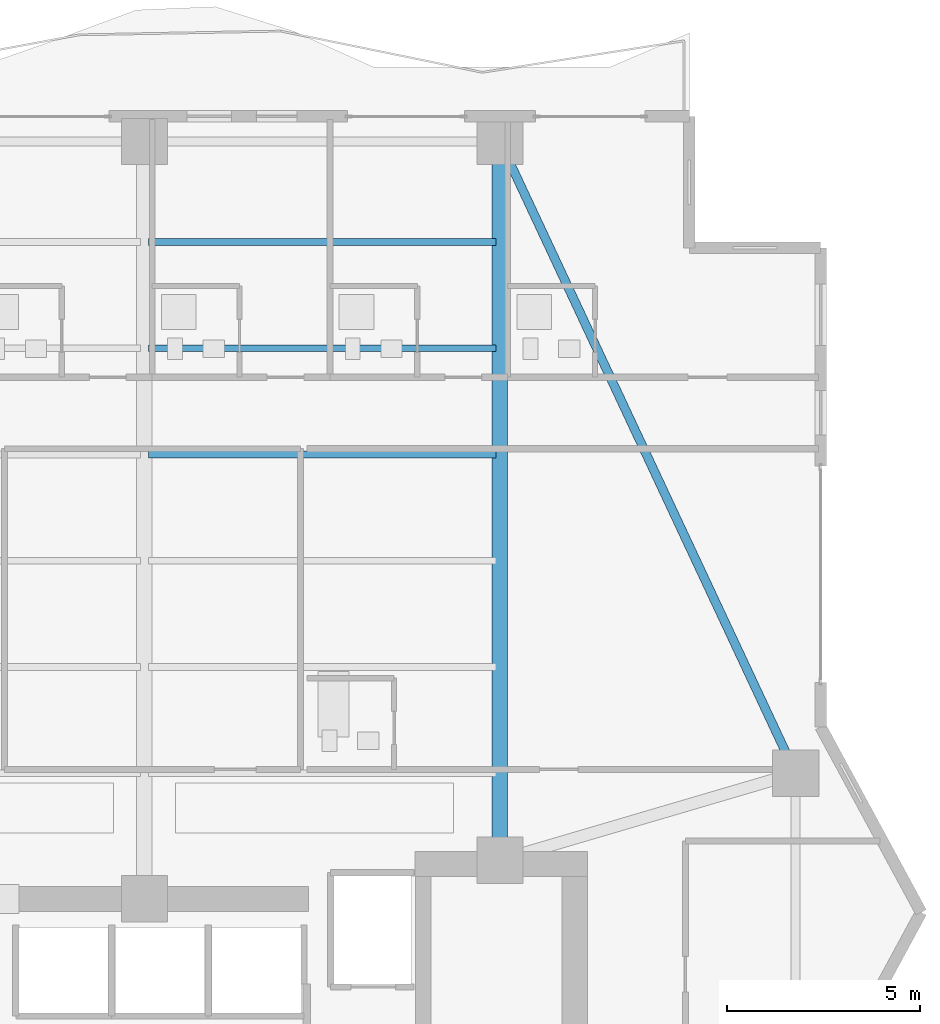
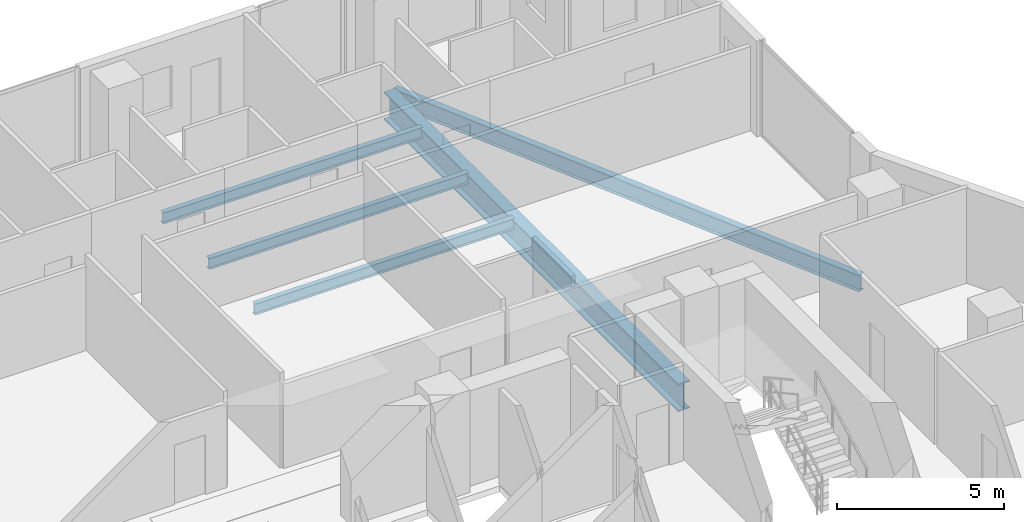
# One storey, part 20 of 33: 5 beams.
"""IFC4 building model written with IfcOpenShell, lengths in metres."""

from ifc_helpers import new_model, si_unit, direction, frame, origin, origin_2d, place, context, subcontext, project, spatial, i_section, extrude, material, material_profile, profile_set, type_object, element, save


model = new_model("IFC4")

# Units and contexts
model_context = context("Model", 3, precision=1e-05, world=origin(), true_north=direction((0.0, 1.0)))
body_context = subcontext(model_context, "Body", "Model", "MODEL_VIEW")
ifc_project = project(units=[si_unit("LENGTHUNIT", "METRE"), si_unit("AREAUNIT", "SQUARE_METRE"), si_unit("VOLUMEUNIT", "CUBIC_METRE"), si_unit("PLANEANGLEUNIT", "RADIAN"), si_unit("MASSUNIT", "GRAM", prefix="KILO")], contexts=[model_context])

# Site, building, storey
site_placement = place(None, origin())
site = spatial("IfcSite", under=ifc_project, at=site_placement, CompositionType="ELEMENT")
building_placement = place(site_placement, origin())
building = spatial("IfcBuilding", under=site, at=building_placement, Name="Zuhayl Quay Hotel", CompositionType="ELEMENT")
storey_placement = place(building_placement, frame((0.0, 0.0, 229.89990234375)))
storey = spatial("IfcBuildingStorey", under=building, at=storey_placement, Name="L58", CompositionType="ELEMENT", Elevation=229.89990234375)

# Beams
ifc_material = material(Name="Steel ASTM A992 Grade 50", Category="steel")
ifc_material_profile_1 = material_profile(ifc_material, i_section(OverallWidth=0.22802734375, OverallDepth=0.60693359375, WebThickness=0.01123046875, FlangeThickness=0.017333984375, at=origin_2d()), Name="W24X76")
ifc_profile_set_1 = profile_set([ifc_material_profile_1], Name="Steel ASTM A992 Grade 50")
beam_type_1 = type_object("IfcBeamType", Name="BM_B3_W24X76", PredefinedType="BEAM", material=ifc_profile_set_1)
beam_1_placement = place(storey_placement, frame((21.238037109375, 17.052978515625, -0.5234375), z_axis=(-0.423792164429, 0.905759461098, 0.0), x_axis=(-0.905759461098, -0.423792164429, 0.0)))
element("IfcBeam", 1, at=beam_1_placement, inside=storey, type_object=beam_type_1, Name="L58 Floor Beam RG_L58_06", PredefinedType="BEAM", context=body_context, shape_type="SweptSolid", body=[
    extrude(i_section(OverallWidth=0.22802734375, OverallDepth=0.60693359375, WebThickness=0.01123046875, FlangeThickness=0.017333984375, at=origin_2d()), origin(), (0.0, 0.0, 1.0), 17.051025390625),
])
ifc_material_profile_2 = material_profile(ifc_material, i_section(OverallWidth=0.177978515625, OverallDepth=0.406005859375, WebThickness=0.0078125, FlangeThickness=0.0126953125, at=origin_2d()), Name="W16X40")
ifc_profile_set_2 = profile_set([ifc_material_profile_2], Name="Steel ASTM A992 Grade 50")
beam_type_2 = type_object("IfcBeamType", Name="BM_J2B_W16X40", PredefinedType="JOIST", material=ifc_profile_set_2)
for number, where, z_axis, x_axis, name in (
    (2, (4.7060546875, 24.85009765625, -0.4228515625), (1.0, 0.0, 0.0), (0.0, 1.0, 0.0), "L58 Floor Beam FJ_L58_4_3"),
    (3, (4.7060546875, 27.60009765625, -0.4228515625), (1.0, 0.0, 0.0), (0.0, 1.0, 0.0), "L58 Floor Beam FJ_L58_5_3"),
    (4, (4.7060546875, 30.35009765625, -0.4228515625), (1.0, 0.0, 0.0), (0.0, 1.0, 0.0), "L58 Floor Beam FJ_L58_6_3"),
):
    element("IfcBeam", number, at=place(storey_placement, frame(where, z_axis=z_axis, x_axis=x_axis)), inside=storey, type_object=beam_type_2, Name=name, PredefinedType="JOIST", context=body_context, shape_type="SweptSolid", body=[
        extrude(i_section(OverallWidth=0.177978515625, OverallDepth=0.406005859375, WebThickness=0.0078125, FlangeThickness=0.0126953125, at=origin_2d()), origin(), (0.0, 0.0, 1.0), 8.988037109375),
    ])
ifc_material_profile_3 = material_profile(ifc_material, i_section(OverallWidth=0.40087890625, OverallDepth=1.010986328125, WebThickness=0.023681640625, FlangeThickness=0.0419921875, at=origin_2d()), Name="W40X297")
ifc_profile_set_3 = profile_set([ifc_material_profile_3], Name="Steel ASTM A992 Grade 50")
beam_type_3 = type_object("IfcBeamType", Name="BM_TG2_W40X297", PredefinedType="BEAM", material=ifc_profile_set_3)
beam_2_placement = place(storey_placement, frame((13.800048828125, 14.800048828125, -0.725341796875), z_axis=(0.0, 1.0, 0.0), x_axis=(-1.0, 0.0, 0.0)))
element("IfcBeam", 5, at=beam_2_placement, inside=storey, type_object=beam_type_3, Name="L58 Floor Beam FG_N_L58_4", PredefinedType="BEAM", context=body_context, shape_type="SweptSolid", body=[
    extrude(i_section(OverallWidth=0.40087890625, OverallDepth=1.010986328125, WebThickness=0.023681640625, FlangeThickness=0.0419921875, at=origin_2d()), origin(), (0.0, 0.0, 1.0), 17.64990234375),
])

save(model, "model.ifc")
